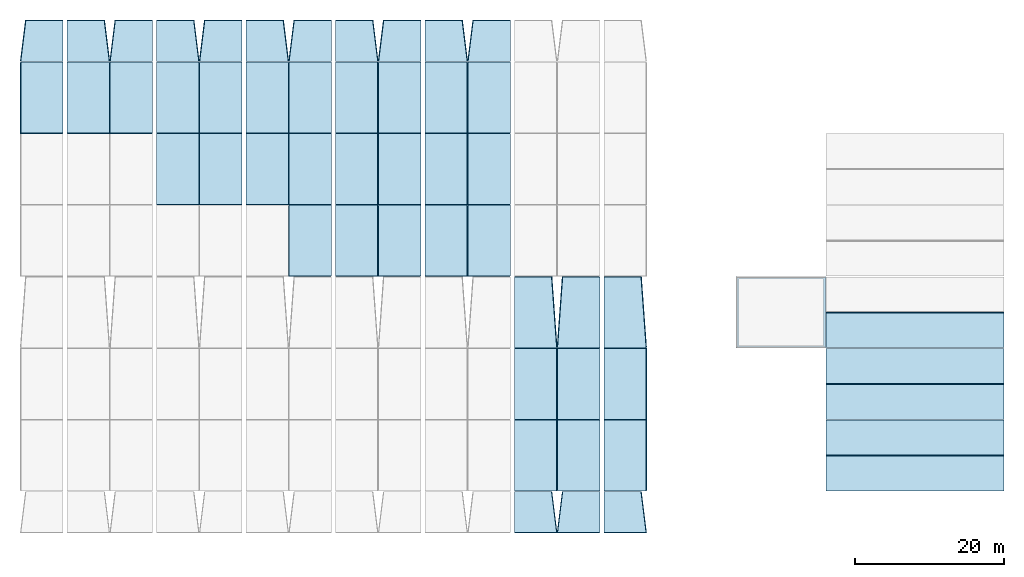
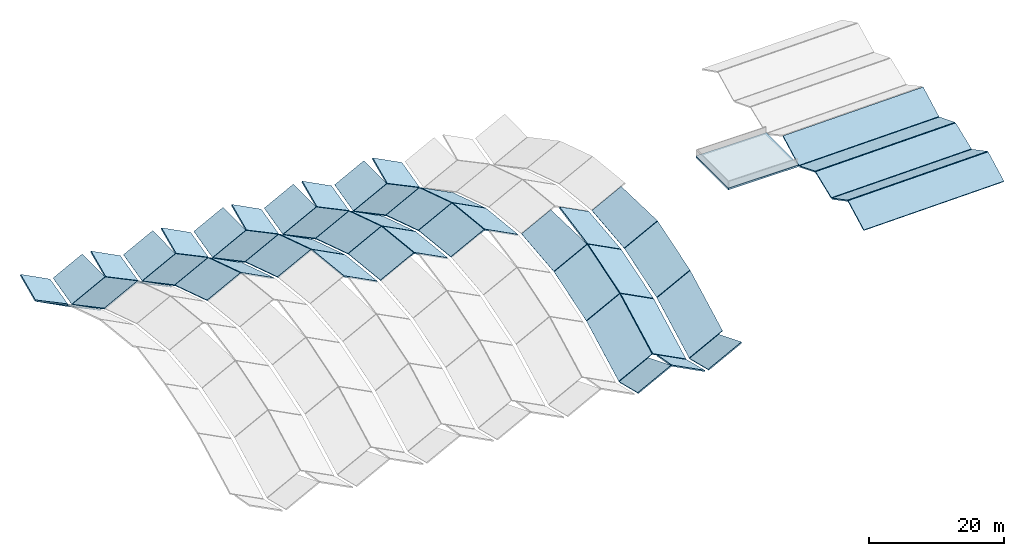
# One storey, part 2 of 4: 53 slabs.
"""IFC4 building model written with IfcOpenShell, lengths in metres."""

from ifc_helpers import new_model, si_unit, direction, frame, origin, place, context, subcontext, project, spatial, polyline, outline, extrude, material, layer, layer_set, type_object, element, save


model = new_model("IFC4")

# Units and contexts
model_context = context("Model", 3, precision=1e-05, world=origin(), true_north=direction((0.0, 1.0)))
body_context = subcontext(model_context, "Body", "Model", "MODEL_VIEW")
ifc_project = project(units=[si_unit("LENGTHUNIT", "METRE"), si_unit("AREAUNIT", "SQUARE_METRE"), si_unit("VOLUMEUNIT", "CUBIC_METRE"), si_unit("PLANEANGLEUNIT", "RADIAN"), si_unit("MASSUNIT", "GRAM", prefix="KILO")], contexts=[model_context])

# Site, building, storey
site_placement = place(None, origin())
site = spatial("IfcSite", under=ifc_project, at=site_placement, CompositionType="ELEMENT")
building_placement = place(site_placement, origin())
building = spatial("IfcBuilding", under=site, at=building_placement, Name="Pandanus Reach Market Hall", CompositionType="ELEMENT")
storey_placement = place(building_placement, frame((0.0, 0.0, 22.800048828125)))
storey = spatial("IfcBuildingStorey", under=building, at=storey_placement, Name="RF", CompositionType="ELEMENT", Elevation=22.800048828125)

# Slabs
ifc_material_1 = material(Name="Concrete N50 (50 MPa)", Category="concrete")
ifc_layer_1 = layer(ifc_material_1, 0.205078125, Name="RF-BFY-205")
ifc_layer_set_1 = layer_set([ifc_layer_1], Name="Concrete N50 (50 MPa)")
slab_type_1 = type_object("IfcSlabType", Name="RF-BFY-205", PredefinedType="ROOF", material=ifc_layer_set_1)
slab_1_placement = place(storey_placement, frame((48.06005859375, 86.43994140625, -9.851318359375), z_axis=(0.450556899093, -0.215053322153, 0.866458625273), x_axis=(0.887217290863, -1.723796e-06, -0.461351795044)))
element("IfcSlab", 1, at=slab_1_placement, inside=storey, type_object=slab_type_1, Name="Butterfly shell roof wing B1.8W", PredefinedType="ROOF", context=body_context, shape_type="SweptSolid", body=[
    extrude(outline(polyline([(0.0, 0.0), (6.401988351654198, 0.0), (5.769872812395228, 5.652279776803196), (0.14558543796129203, 5.65225854928703), (0.0, 0.0)])), origin(), (0.0, 0.0, -1.0), 0.205078125),
])
slab_2_placement = place(storey_placement, frame((54.260009765625, 86.43994140625, -12.804931640625), z_axis=(-0.450556899093, -0.215053322153, 0.866458625273), x_axis=(0.887217290863, 1.723796e-06, 0.461351795044)))
element("IfcSlab", 2, at=slab_2_placement, inside=storey, type_object=slab_type_1, Name="Butterfly shell roof wing B1.8E", PredefinedType="ROOF", context=body_context, shape_type="SweptSolid", body=[
    extrude(outline(polyline([(0.0, 0.0), (6.401988351654198, 0.0), (6.256402913692908, 5.65225854928703), (0.6321155392589709, 5.652279776803195), (0.0, 0.0)])), origin(), (0.0, 0.0, -1.0), 0.205078125),
])
slab_3_placement = place(storey_placement, frame((60.06005859375, 86.43994140625, -9.851318359375), z_axis=(0.450556899093, -0.215053322153, 0.866458625273), x_axis=(0.887217290863, -1.723796e-06, -0.461351795044)))
element("IfcSlab", 3, at=slab_3_placement, inside=storey, type_object=slab_type_1, Name="Butterfly shell roof wing B2.8W", PredefinedType="ROOF", context=body_context, shape_type="SweptSolid", body=[
    extrude(outline(polyline([(0.0, 0.0), (6.401988351654198, 0.0), (5.769872812395228, 5.652279776803196), (0.14558543796129203, 5.65225854928703), (0.0, 0.0)])), origin(), (0.0, 0.0, -1.0), 0.205078125),
])
slab_4_placement = place(storey_placement, frame((66.260009765625, 86.43994140625, -12.804931640625), z_axis=(-0.450556899093, -0.215053322153, 0.866458625273), x_axis=(0.887217290863, 1.723796e-06, 0.461351795044)))
element("IfcSlab", 4, at=slab_4_placement, inside=storey, type_object=slab_type_1, Name="Butterfly shell roof wing B2.8E", PredefinedType="ROOF", context=body_context, shape_type="SweptSolid", body=[
    extrude(outline(polyline([(0.0, 0.0), (6.401988351654198, 0.0), (6.256402913692908, 5.65225854928703), (0.6321155392589709, 5.652279776803195), (0.0, 0.0)])), origin(), (0.0, 0.0, -1.0), 0.205078125),
])
slab_5_placement = place(storey_placement, frame((72.06005859375, 86.43994140625, -9.851318359375), z_axis=(0.450556899093, -0.215053322153, 0.866458625273), x_axis=(0.887217290863, -1.723796e-06, -0.461351795044)))
element("IfcSlab", 5, at=slab_5_placement, inside=storey, type_object=slab_type_1, Name="Butterfly shell roof wing B3.8W", PredefinedType="ROOF", context=body_context, shape_type="SweptSolid", body=[
    extrude(outline(polyline([(0.0, 0.0), (6.401988351654198, 0.0), (5.769872812395228, 5.652279776803196), (0.14558543796129203, 5.65225854928703), (0.0, 0.0)])), origin(), (0.0, 0.0, -1.0), 0.205078125),
])
slab_6_placement = place(storey_placement, frame((78.260009765625, 86.43994140625, -12.804931640625), z_axis=(-0.450556899093, -0.215053322153, 0.866458625273), x_axis=(0.887217290863, 1.723796e-06, 0.461351795044)))
element("IfcSlab", 6, at=slab_6_placement, inside=storey, type_object=slab_type_1, Name="Butterfly shell roof wing B3.8E", PredefinedType="ROOF", context=body_context, shape_type="SweptSolid", body=[
    extrude(outline(polyline([(0.0, 0.0), (6.401988351654198, 0.0), (6.256402913692908, 5.65225854928703), (0.6321155392589709, 5.652279776803195), (0.0, 0.0)])), origin(), (0.0, 0.0, -1.0), 0.205078125),
])
slab_7_placement = place(storey_placement, frame((84.06005859375, 86.43994140625, -9.851318359375), z_axis=(0.450556899093, -0.215053322153, 0.866458625273), x_axis=(0.887217290863, -1.723796e-06, -0.461351795044)))
element("IfcSlab", 7, at=slab_7_placement, inside=storey, type_object=slab_type_1, Name="Butterfly shell roof wing B4.8W", PredefinedType="ROOF", context=body_context, shape_type="SweptSolid", body=[
    extrude(outline(polyline([(0.0, 0.0), (6.401988351654198, 0.0), (5.769872812395228, 5.652279776803196), (0.14558543796129203, 5.65225854928703), (0.0, 0.0)])), origin(), (0.0, 0.0, -1.0), 0.205078125),
])
slab_8_placement = place(storey_placement, frame((90.260009765625, 86.43994140625, -12.804931640625), z_axis=(-0.450556899093, -0.215053322153, 0.866458625273), x_axis=(0.887217290863, 1.723796e-06, 0.461351795044)))
element("IfcSlab", 8, at=slab_8_placement, inside=storey, type_object=slab_type_1, Name="Butterfly shell roof wing B4.8E", PredefinedType="ROOF", context=body_context, shape_type="SweptSolid", body=[
    extrude(outline(polyline([(0.0, 0.0), (6.401988351654198, 0.0), (6.256402913692908, 5.65225854928703), (0.6321155392589709, 5.652279776803195), (0.0, 0.0)])), origin(), (0.0, 0.0, -1.0), 0.205078125),
])
slab_9_placement = place(storey_placement, frame((96.06005859375, 86.43994140625, -9.851318359375), z_axis=(0.450556899093, -0.215053322153, 0.866458625273), x_axis=(0.887217290863, -1.723796e-06, -0.461351795044)))
element("IfcSlab", 9, at=slab_9_placement, inside=storey, type_object=slab_type_1, Name="Butterfly shell roof wing B5.8W", PredefinedType="ROOF", context=body_context, shape_type="SweptSolid", body=[
    extrude(outline(polyline([(0.0, 0.0), (6.401988351654198, 0.0), (5.769872812395228, 5.652279776803196), (0.14558543796129203, 5.65225854928703), (0.0, 0.0)])), origin(), (0.0, 0.0, -1.0), 0.205078125),
])
slab_10_placement = place(storey_placement, frame((102.260009765625, 86.43994140625, -12.804931640625), z_axis=(-0.450556899093, -0.215053322153, 0.866458625273), x_axis=(0.887217290863, 1.723796e-06, 0.461351795044)))
element("IfcSlab", 10, at=slab_10_placement, inside=storey, type_object=slab_type_1, Name="Butterfly shell roof wing B5.8E", PredefinedType="ROOF", context=body_context, shape_type="SweptSolid", body=[
    extrude(outline(polyline([(0.0, 0.0), (6.401988351654198, 0.0), (6.256402913692908, 5.65225854928703), (0.6321155392589709, 5.652279776803195), (0.0, 0.0)])), origin(), (0.0, 0.0, -1.0), 0.205078125),
])
slab_11_placement = place(storey_placement, frame((114.260009765625, 23.239990234375, -11.434814453125), z_axis=(-0.450572874973, 0.215049677559, 0.866451222239), x_axis=(0.887209365664, 2.058844e-06, 0.461367035531)))
element("IfcSlab", 11, at=slab_11_placement, inside=storey, type_object=slab_type_1, Name="Butterfly shell roof wing B6.1E", PredefinedType="ROOF", context=body_context, shape_type="SweptSolid", body=[
    extrude(outline(polyline([(0.0, 0.0), (6.4019883515664695, 1.1102230246251565e-16), (4.992284470831912, 5.652254422933277), (-0.6321155402657588, 5.652279776591236), (0.0, 0.0)])), origin(), (0.0, 0.0, -1.0), 0.205078125),
])
slab_12_placement = place(storey_placement, frame((108.06005859375, 86.43994140625, -9.851318359375), z_axis=(0.450556899093, -0.215053322153, 0.866458625273), x_axis=(0.887217290863, -1.723796e-06, -0.461351795044)))
element("IfcSlab", 12, at=slab_12_placement, inside=storey, type_object=slab_type_1, Name="Butterfly shell roof wing B6.8W", PredefinedType="ROOF", context=body_context, shape_type="SweptSolid", body=[
    extrude(outline(polyline([(0.0, 0.0), (6.401988351654198, 0.0), (5.769872812395228, 5.652279776803196), (0.14558543796129203, 5.65225854928703), (0.0, 0.0)])), origin(), (0.0, 0.0, -1.0), 0.205078125),
])
slab_13_placement = place(storey_placement, frame((120.06005859375, 23.239990234375, -8.481201171875), z_axis=(0.450572874973, 0.215049677559, 0.866451222239), x_axis=(0.887209365664, -2.058844e-06, -0.461367035531)))
element("IfcSlab", 13, at=slab_13_placement, inside=storey, type_object=slab_type_1, Name="Butterfly shell roof wing B7.1W", PredefinedType="ROOF", context=body_context, shape_type="SweptSolid", body=[
    extrude(outline(polyline([(0.0, 0.0), (6.4019883515664695, -1.1102230246251565e-16), (7.0341038918322285, 5.652279776591236), (1.4097038807345572, 5.652254422933277), (0.0, 0.0)])), origin(), (0.0, 0.0, -1.0), 0.205078125),
])
slab_14_placement = place(storey_placement, frame((126.260009765625, 23.239990234375, -11.434814453125), z_axis=(-0.450572874973, 0.215049677559, 0.866451222239), x_axis=(0.887209365664, 2.058844e-06, 0.461367035531)))
element("IfcSlab", 14, at=slab_14_placement, inside=storey, type_object=slab_type_1, Name="Butterfly shell roof wing B7.1E", PredefinedType="ROOF", context=body_context, shape_type="SweptSolid", body=[
    extrude(outline(polyline([(0.0, 0.0), (6.4019883515664695, 1.1102230246251565e-16), (4.992284470831912, 5.652254422933277), (-0.6321155402657588, 5.652279776591236), (0.0, 0.0)])), origin(), (0.0, 0.0, -1.0), 0.205078125),
])
ifc_layer_2 = layer(ifc_material_1, 0.219970703125, Name="RF-BFY-220")
ifc_layer_set_2 = layer_set([ifc_layer_2], Name="Concrete N50 (50 MPa)")
slab_type_2 = type_object("IfcSlabType", Name="RF-BFY-220", PredefinedType="ROOF", material=ifc_layer_set_2)
slab_15_placement = place(storey_placement, frame((48.06005859375, 76.840087890625, -4.757080078125), z_axis=(0.417159840837, 0.427112666279, 0.802217200948), x_axis=(0.887213679321, 0.0, -0.461358740272)))
element("IfcSlab", 15, at=slab_15_placement, inside=storey, type_object=slab_type_2, Name="Butterfly shell roof wing B1.7W", PredefinedType="ROOF", context=body_context, shape_type="SweptSolid", body=[
    extrude(outline(polyline([(0.0, 0.0), (6.401988351859865, -2.220446049250313e-16), (8.74043288476678, 10.528684183719509), (2.3384445329069137, 10.528684183719509), (0.0, 0.0)])), origin(), (0.0, 0.0, -1.0), 0.219970703125),
])
slab_16_placement = place(storey_placement, frame((54.260009765625, 76.840087890625, -7.710693359375), z_axis=(-0.417159840837, 0.427112666279, 0.802217200948), x_axis=(0.887213679321, 0.0, 0.461358740272)))
element("IfcSlab", 16, at=slab_16_placement, inside=storey, type_object=slab_type_2, Name="Butterfly shell roof wing B1.7E", PredefinedType="ROOF", context=body_context, shape_type="SweptSolid", body=[
    extrude(outline(polyline([(0.0, 0.0), (6.401988351859865, 2.220446049250313e-16), (4.063543818952953, 10.528684183719509), (-2.3384445329069137, 10.528684183719509), (0.0, 0.0)])), origin(), (0.0, 0.0, -1.0), 0.219970703125),
])
slab_17_placement = place(storey_placement, frame((66.260009765625, 67.239990234375, -4.6357421875), z_axis=(-0.443877113552, 0.272667290232, 0.853595722167), x_axis=(0.887213679321, 0.0, 0.461358740272)))
element("IfcSlab", 17, at=slab_17_placement, inside=storey, type_object=slab_type_2, Name="Butterfly shell roof wing B2.6E", PredefinedType="ROOF", context=body_context, shape_type="SweptSolid", body=[
    extrude(outline(polyline([(0.0, 0.0), (6.401988351859866, 1.1102230246251565e-16), (4.998989213962437, 9.894955347344156), (-1.4029991378974285, 9.894955347344156), (0.0, 0.0)])), origin(), (0.0, 0.0, -1.0), 0.219970703125),
])
slab_18_placement = place(storey_placement, frame((60.06005859375, 76.840087890625, -4.757080078125), z_axis=(0.417159840837, 0.427112666279, 0.802217200948), x_axis=(0.887213679321, 0.0, -0.461358740272)))
element("IfcSlab", 18, at=slab_18_placement, inside=storey, type_object=slab_type_2, Name="Butterfly shell roof wing B2.7W", PredefinedType="ROOF", context=body_context, shape_type="SweptSolid", body=[
    extrude(outline(polyline([(0.0, 0.0), (6.401988351859865, -2.220446049250313e-16), (8.74043288476678, 10.528684183719509), (2.3384445329069137, 10.528684183719509), (0.0, 0.0)])), origin(), (0.0, 0.0, -1.0), 0.219970703125),
])
slab_19_placement = place(storey_placement, frame((66.260009765625, 76.840087890625, -7.710693359375), z_axis=(-0.417159840837, 0.427112666279, 0.802217200948), x_axis=(0.887213679321, 0.0, 0.461358740272)))
element("IfcSlab", 19, at=slab_19_placement, inside=storey, type_object=slab_type_2, Name="Butterfly shell roof wing B2.7E", PredefinedType="ROOF", context=body_context, shape_type="SweptSolid", body=[
    extrude(outline(polyline([(0.0, 0.0), (6.401988351859865, 2.220446049250313e-16), (4.063543818952953, 10.528684183719509), (-2.3384445329069137, 10.528684183719509), (0.0, 0.0)])), origin(), (0.0, 0.0, -1.0), 0.219970703125),
])
slab_20_placement = place(storey_placement, frame((72.06005859375, 67.239990234375, -1.68212890625), z_axis=(0.443877113552, 0.272667290232, 0.853595722167), x_axis=(0.887213679321, 0.0, -0.461358740272)))
element("IfcSlab", 20, at=slab_20_placement, inside=storey, type_object=slab_type_2, Name="Butterfly shell roof wing B3.6W", PredefinedType="ROOF", context=body_context, shape_type="SweptSolid", body=[
    extrude(outline(polyline([(0.0, 0.0), (6.401988351859866, -1.1102230246251565e-16), (7.804987489757294, 9.894955347344156), (1.4029991378974285, 9.894955347344156), (0.0, 0.0)])), origin(), (0.0, 0.0, -1.0), 0.219970703125),
])
slab_21_placement = place(storey_placement, frame((78.260009765625, 67.239990234375, -4.6357421875), z_axis=(-0.443877113552, 0.272667290232, 0.853595722167), x_axis=(0.887213679321, 0.0, 0.461358740272)))
element("IfcSlab", 21, at=slab_21_placement, inside=storey, type_object=slab_type_2, Name="Butterfly shell roof wing B3.6E", PredefinedType="ROOF", context=body_context, shape_type="SweptSolid", body=[
    extrude(outline(polyline([(0.0, 0.0), (6.401988351859866, 1.1102230246251565e-16), (4.998989213962437, 9.894955347344156), (-1.4029991378974285, 9.894955347344156), (0.0, 0.0)])), origin(), (0.0, 0.0, -1.0), 0.219970703125),
])
slab_22_placement = place(storey_placement, frame((72.06005859375, 76.840087890625, -4.757080078125), z_axis=(0.417159840837, 0.427112666279, 0.802217200948), x_axis=(0.887213679321, 0.0, -0.461358740272)))
element("IfcSlab", 22, at=slab_22_placement, inside=storey, type_object=slab_type_2, Name="Butterfly shell roof wing B3.7W", PredefinedType="ROOF", context=body_context, shape_type="SweptSolid", body=[
    extrude(outline(polyline([(0.0, 0.0), (6.401988351859865, -2.220446049250313e-16), (8.74043288476678, 10.528684183719509), (2.3384445329069137, 10.528684183719509), (0.0, 0.0)])), origin(), (0.0, 0.0, -1.0), 0.219970703125),
])
slab_23_placement = place(storey_placement, frame((78.260009765625, 76.840087890625, -7.710693359375), z_axis=(-0.417159840837, 0.427112666279, 0.802217200948), x_axis=(0.887213679321, 0.0, 0.461358740272)))
element("IfcSlab", 23, at=slab_23_placement, inside=storey, type_object=slab_type_2, Name="Butterfly shell roof wing B3.7E", PredefinedType="ROOF", context=body_context, shape_type="SweptSolid", body=[
    extrude(outline(polyline([(0.0, 0.0), (6.401988351859865, 2.220446049250313e-16), (4.063543818952953, 10.528684183719509), (-2.3384445329069137, 10.528684183719509), (0.0, 0.0)])), origin(), (0.0, 0.0, -1.0), 0.219970703125),
])
slab_24_placement = place(storey_placement, frame((84.06005859375, 57.639892578125, -0.6513671875), z_axis=(0.459298291418, 0.094061978556, 0.883287848717), x_axis=(0.887221553122, -1.584233e-06, -0.461343598278)))
element("IfcSlab", 24, at=slab_24_placement, inside=storey, type_object=slab_type_2, Name="Butterfly shell roof wing B4.5W", PredefinedType="ROOF", context=body_context, shape_type="SweptSolid", body=[
    extrude(outline(polyline([(0.0, 0.0), (6.401875718205034, 2.7755575615628914e-17), (6.86962429927211, 9.562426931245342), (0.4676359483526534, 9.562406556601216), (0.0, 0.0)])), origin(), (0.0, 0.0, -1.0), 0.219970703125),
])
slab_25_placement = place(storey_placement, frame((90.260009765625, 57.639892578125, -3.604736328125), z_axis=(-0.459298291418, 0.094061978556, 0.883287848717), x_axis=(0.887221553122, 1.584233e-06, 0.461343598278)))
element("IfcSlab", 25, at=slab_25_placement, inside=storey, type_object=slab_type_2, Name="Butterfly shell roof wing B4.5E", PredefinedType="ROOF", context=body_context, shape_type="SweptSolid", body=[
    extrude(outline(polyline([(0.0, 0.0), (6.401875718205034, -2.7755575615628914e-17), (5.93423976985238, 9.562406556601218), (-0.46774858106707684, 9.562426931245342), (0.0, 0.0)])), origin(), (0.0, 0.0, -1.0), 0.219970703125),
])
slab_26_placement = place(storey_placement, frame((84.06005859375, 67.239990234375, -1.68212890625), z_axis=(0.443877113552, 0.272667290232, 0.853595722167), x_axis=(0.887213679321, 0.0, -0.461358740272)))
element("IfcSlab", 26, at=slab_26_placement, inside=storey, type_object=slab_type_2, Name="Butterfly shell roof wing B4.6W", PredefinedType="ROOF", context=body_context, shape_type="SweptSolid", body=[
    extrude(outline(polyline([(0.0, 0.0), (6.401988351859866, -1.1102230246251565e-16), (7.804987489757294, 9.894955347344156), (1.4029991378974285, 9.894955347344156), (0.0, 0.0)])), origin(), (0.0, 0.0, -1.0), 0.219970703125),
])
slab_27_placement = place(storey_placement, frame((90.260009765625, 67.239990234375, -4.6357421875), z_axis=(-0.443877113552, 0.272667290232, 0.853595722167), x_axis=(0.887213679321, 0.0, 0.461358740272)))
element("IfcSlab", 27, at=slab_27_placement, inside=storey, type_object=slab_type_2, Name="Butterfly shell roof wing B4.6E", PredefinedType="ROOF", context=body_context, shape_type="SweptSolid", body=[
    extrude(outline(polyline([(0.0, 0.0), (6.401988351859866, 1.1102230246251565e-16), (4.998989213962437, 9.894955347344156), (-1.4029991378974285, 9.894955347344156), (0.0, 0.0)])), origin(), (0.0, 0.0, -1.0), 0.219970703125),
])
slab_28_placement = place(storey_placement, frame((84.06005859375, 76.840087890625, -4.757080078125), z_axis=(0.417159840837, 0.427112666279, 0.802217200948), x_axis=(0.887213679321, 0.0, -0.461358740272)))
element("IfcSlab", 28, at=slab_28_placement, inside=storey, type_object=slab_type_2, Name="Butterfly shell roof wing B4.7W", PredefinedType="ROOF", context=body_context, shape_type="SweptSolid", body=[
    extrude(outline(polyline([(0.0, 0.0), (6.401988351859865, -2.220446049250313e-16), (8.74043288476678, 10.528684183719509), (2.3384445329069137, 10.528684183719509), (0.0, 0.0)])), origin(), (0.0, 0.0, -1.0), 0.219970703125),
])
slab_29_placement = place(storey_placement, frame((90.260009765625, 76.840087890625, -7.710693359375), z_axis=(-0.417159840837, 0.427112666279, 0.802217200948), x_axis=(0.887213679321, 0.0, 0.461358740272)))
element("IfcSlab", 29, at=slab_29_placement, inside=storey, type_object=slab_type_2, Name="Butterfly shell roof wing B4.7E", PredefinedType="ROOF", context=body_context, shape_type="SweptSolid", body=[
    extrude(outline(polyline([(0.0, 0.0), (6.401988351859865, 2.220446049250313e-16), (4.063543818952953, 10.528684183719509), (-2.3384445329069137, 10.528684183719509), (0.0, 0.0)])), origin(), (0.0, 0.0, -1.0), 0.219970703125),
])
slab_30_placement = place(storey_placement, frame((96.06005859375, 57.639892578125, -0.6513671875), z_axis=(0.459298291418, 0.094061978556, 0.883287848717), x_axis=(0.887221553122, -1.584233e-06, -0.461343598278)))
element("IfcSlab", 30, at=slab_30_placement, inside=storey, type_object=slab_type_2, Name="Butterfly shell roof wing B5.5W", PredefinedType="ROOF", context=body_context, shape_type="SweptSolid", body=[
    extrude(outline(polyline([(0.0, 0.0), (6.401875718205034, 2.7755575615628914e-17), (6.86962429927211, 9.562426931245342), (0.4676359483526534, 9.562406556601216), (0.0, 0.0)])), origin(), (0.0, 0.0, -1.0), 0.219970703125),
])
slab_31_placement = place(storey_placement, frame((102.260009765625, 57.639892578125, -3.604736328125), z_axis=(-0.459298291418, 0.094061978556, 0.883287848717), x_axis=(0.887221553122, 1.584233e-06, 0.461343598278)))
element("IfcSlab", 31, at=slab_31_placement, inside=storey, type_object=slab_type_2, Name="Butterfly shell roof wing B5.5E", PredefinedType="ROOF", context=body_context, shape_type="SweptSolid", body=[
    extrude(outline(polyline([(0.0, 0.0), (6.401875718205034, -2.7755575615628914e-17), (5.93423976985238, 9.562406556601218), (-0.46774858106707684, 9.562426931245342), (0.0, 0.0)])), origin(), (0.0, 0.0, -1.0), 0.219970703125),
])
slab_32_placement = place(storey_placement, frame((96.06005859375, 67.239990234375, -1.68212890625), z_axis=(0.443877113552, 0.272667290232, 0.853595722167), x_axis=(0.887213679321, 0.0, -0.461358740272)))
element("IfcSlab", 32, at=slab_32_placement, inside=storey, type_object=slab_type_2, Name="Butterfly shell roof wing B5.6W", PredefinedType="ROOF", context=body_context, shape_type="SweptSolid", body=[
    extrude(outline(polyline([(0.0, 0.0), (6.401988351859866, -1.1102230246251565e-16), (7.804987489757294, 9.894955347344156), (1.4029991378974285, 9.894955347344156), (0.0, 0.0)])), origin(), (0.0, 0.0, -1.0), 0.219970703125),
])
slab_33_placement = place(storey_placement, frame((102.260009765625, 67.239990234375, -4.6357421875), z_axis=(-0.443877113552, 0.272667290232, 0.853595722167), x_axis=(0.887213679321, 0.0, 0.461358740272)))
element("IfcSlab", 33, at=slab_33_placement, inside=storey, type_object=slab_type_2, Name="Butterfly shell roof wing B5.6E", PredefinedType="ROOF", context=body_context, shape_type="SweptSolid", body=[
    extrude(outline(polyline([(0.0, 0.0), (6.401988351859866, 1.1102230246251565e-16), (4.998989213962437, 9.894955347344156), (-1.4029991378974285, 9.894955347344156), (0.0, 0.0)])), origin(), (0.0, 0.0, -1.0), 0.219970703125),
])
slab_34_placement = place(storey_placement, frame((96.06005859375, 76.840087890625, -4.757080078125), z_axis=(0.417159840837, 0.427112666279, 0.802217200948), x_axis=(0.887213679321, 0.0, -0.461358740272)))
element("IfcSlab", 34, at=slab_34_placement, inside=storey, type_object=slab_type_2, Name="Butterfly shell roof wing B5.7W", PredefinedType="ROOF", context=body_context, shape_type="SweptSolid", body=[
    extrude(outline(polyline([(0.0, 0.0), (6.401988351859865, -2.220446049250313e-16), (8.74043288476678, 10.528684183719509), (2.3384445329069137, 10.528684183719509), (0.0, 0.0)])), origin(), (0.0, 0.0, -1.0), 0.219970703125),
])
slab_35_placement = place(storey_placement, frame((102.260009765625, 76.840087890625, -7.710693359375), z_axis=(-0.417159840837, 0.427112666279, 0.802217200948), x_axis=(0.887213679321, 0.0, 0.461358740272)))
element("IfcSlab", 35, at=slab_35_placement, inside=storey, type_object=slab_type_2, Name="Butterfly shell roof wing B5.7E", PredefinedType="ROOF", context=body_context, shape_type="SweptSolid", body=[
    extrude(outline(polyline([(0.0, 0.0), (6.401988351859865, 2.220446049250313e-16), (4.063543818952953, 10.528684183719509), (-2.3384445329069137, 10.528684183719509), (0.0, 0.0)])), origin(), (0.0, 0.0, -1.0), 0.219970703125),
])
slab_36_placement = place(storey_placement, frame((114.260009765625, 28.840087890625, -12.779296875), z_axis=(-0.417159840837, -0.427112666279, 0.802217200948), x_axis=(0.887213679321, 0.0, 0.461358740272)))
element("IfcSlab", 36, at=slab_36_placement, inside=storey, type_object=slab_type_2, Name="Butterfly shell roof wing B6.2E", PredefinedType="ROOF", context=body_context, shape_type="SweptSolid", body=[
    extrude(outline(polyline([(0.0, 0.0), (6.401988351859865, -2.220446049250313e-16), (8.74043288476678, 10.528684183719509), (2.3384445329069137, 10.528684183719509), (0.0, 0.0)])), origin(), (0.0, 0.0, -1.0), 0.219970703125),
])
slab_37_placement = place(storey_placement, frame((114.260009765625, 38.43994140625, -7.6767578125), z_axis=(-0.443877113552, -0.272667290232, 0.853595722167), x_axis=(0.887213679321, 0.0, 0.461358740272)))
element("IfcSlab", 37, at=slab_37_placement, inside=storey, type_object=slab_type_2, Name="Butterfly shell roof wing B6.3E", PredefinedType="ROOF", context=body_context, shape_type="SweptSolid", body=[
    extrude(outline(polyline([(0.0, 0.0), (6.401988351859866, -1.1102230246251565e-16), (7.804987489757294, 9.894955347344156), (1.4029991378974285, 9.894955347344156), (0.0, 0.0)])), origin(), (0.0, 0.0, -1.0), 0.219970703125),
])
slab_38_placement = place(storey_placement, frame((114.260009765625, 48.0400390625, -4.61865234375), z_axis=(-0.459305750832, -0.094067335616, 0.883283399382), x_axis=(0.887217432482, 7.68654e-07, 0.461351522702)))
element("IfcSlab", 38, at=slab_38_placement, inside=storey, type_object=slab_type_2, Name="Butterfly shell roof wing B6.4E", PredefinedType="ROOF", context=body_context, shape_type="SweptSolid", body=[
    extrude(outline(polyline([(0.0, 0.0), (6.401988351646134, 2.7755575615628914e-17), (6.0920663897556455, 9.562416157750384), (0.4677790152984958, 9.562425442963313), (0.0, 0.0)])), origin(), (0.0, 0.0, -1.0), 0.219970703125),
])
slab_39_placement = place(storey_placement, frame((108.06005859375, 57.639892578125, -0.6513671875), z_axis=(0.459298291418, 0.094061978556, 0.883287848717), x_axis=(0.887221553122, -1.584233e-06, -0.461343598278)))
element("IfcSlab", 39, at=slab_39_placement, inside=storey, type_object=slab_type_2, Name="Butterfly shell roof wing B6.5W", PredefinedType="ROOF", context=body_context, shape_type="SweptSolid", body=[
    extrude(outline(polyline([(0.0, 0.0), (6.401875718205034, 2.7755575615628914e-17), (6.86962429927211, 9.562426931245342), (0.4676359483526534, 9.562406556601216), (0.0, 0.0)])), origin(), (0.0, 0.0, -1.0), 0.219970703125),
])
slab_40_placement = place(storey_placement, frame((108.06005859375, 67.239990234375, -1.68212890625), z_axis=(0.443877113552, 0.272667290232, 0.853595722167), x_axis=(0.887213679321, 0.0, -0.461358740272)))
element("IfcSlab", 40, at=slab_40_placement, inside=storey, type_object=slab_type_2, Name="Butterfly shell roof wing B6.6W", PredefinedType="ROOF", context=body_context, shape_type="SweptSolid", body=[
    extrude(outline(polyline([(0.0, 0.0), (6.401988351859866, -1.1102230246251565e-16), (7.804987489757294, 9.894955347344156), (1.4029991378974285, 9.894955347344156), (0.0, 0.0)])), origin(), (0.0, 0.0, -1.0), 0.219970703125),
])
slab_41_placement = place(storey_placement, frame((108.06005859375, 76.840087890625, -4.757080078125), z_axis=(0.417159840837, 0.427112666279, 0.802217200948), x_axis=(0.887213679321, 0.0, -0.461358740272)))
element("IfcSlab", 41, at=slab_41_placement, inside=storey, type_object=slab_type_2, Name="Butterfly shell roof wing B6.7W", PredefinedType="ROOF", context=body_context, shape_type="SweptSolid", body=[
    extrude(outline(polyline([(0.0, 0.0), (6.401988351859865, -2.220446049250313e-16), (8.74043288476678, 10.528684183719509), (2.3384445329069137, 10.528684183719509), (0.0, 0.0)])), origin(), (0.0, 0.0, -1.0), 0.219970703125),
])
slab_42_placement = place(storey_placement, frame((120.06005859375, 28.840087890625, -9.82568359375), z_axis=(0.417159840837, -0.427112666279, 0.802217200948), x_axis=(0.887213679321, 0.0, -0.461358740272)))
element("IfcSlab", 42, at=slab_42_placement, inside=storey, type_object=slab_type_2, Name="Butterfly shell roof wing B7.2W", PredefinedType="ROOF", context=body_context, shape_type="SweptSolid", body=[
    extrude(outline(polyline([(0.0, 0.0), (6.401988351859865, 2.220446049250313e-16), (4.063543818952953, 10.528684183719509), (-2.3384445329069137, 10.528684183719509), (0.0, 0.0)])), origin(), (0.0, 0.0, -1.0), 0.219970703125),
])
slab_43_placement = place(storey_placement, frame((126.260009765625, 28.840087890625, -12.779296875), z_axis=(-0.417159840837, -0.427112666279, 0.802217200948), x_axis=(0.887213679321, 0.0, 0.461358740272)))
element("IfcSlab", 43, at=slab_43_placement, inside=storey, type_object=slab_type_2, Name="Butterfly shell roof wing B7.2E", PredefinedType="ROOF", context=body_context, shape_type="SweptSolid", body=[
    extrude(outline(polyline([(0.0, 0.0), (6.401988351859865, -2.220446049250313e-16), (8.74043288476678, 10.528684183719509), (2.3384445329069137, 10.528684183719509), (0.0, 0.0)])), origin(), (0.0, 0.0, -1.0), 0.219970703125),
])
slab_44_placement = place(storey_placement, frame((120.06005859375, 38.43994140625, -4.72314453125), z_axis=(0.443877113552, -0.272667290232, 0.853595722167), x_axis=(0.887213679321, 0.0, -0.461358740272)))
element("IfcSlab", 44, at=slab_44_placement, inside=storey, type_object=slab_type_2, Name="Butterfly shell roof wing B7.3W", PredefinedType="ROOF", context=body_context, shape_type="SweptSolid", body=[
    extrude(outline(polyline([(0.0, 0.0), (6.401988351859866, 1.1102230246251565e-16), (4.998989213962437, 9.894955347344156), (-1.4029991378974285, 9.894955347344156), (0.0, 0.0)])), origin(), (0.0, 0.0, -1.0), 0.219970703125),
])
slab_45_placement = place(storey_placement, frame((126.260009765625, 38.43994140625, -7.6767578125), z_axis=(-0.443877113552, -0.272667290232, 0.853595722167), x_axis=(0.887213679321, 0.0, 0.461358740272)))
element("IfcSlab", 45, at=slab_45_placement, inside=storey, type_object=slab_type_2, Name="Butterfly shell roof wing B7.3E", PredefinedType="ROOF", context=body_context, shape_type="SweptSolid", body=[
    extrude(outline(polyline([(0.0, 0.0), (6.401988351859866, -1.1102230246251565e-16), (7.804987489757294, 9.894955347344156), (1.4029991378974285, 9.894955347344156), (0.0, 0.0)])), origin(), (0.0, 0.0, -1.0), 0.219970703125),
])
slab_46_placement = place(storey_placement, frame((120.06005859375, 48.0400390625, -1.6650390625), z_axis=(0.459305750832, -0.094067335616, 0.883283399382), x_axis=(0.887217432482, -7.68654e-07, -0.461351522702)))
element("IfcSlab", 46, at=slab_46_placement, inside=storey, type_object=slab_type_2, Name="Butterfly shell roof wing B7.4W", PredefinedType="ROOF", context=body_context, shape_type="SweptSolid", body=[
    extrude(outline(polyline([(0.0, 0.0), (6.401988351646134, -2.7755575615628914e-17), (5.934209336347639, 9.562425442963313), (0.30992196189048776, 9.562416157750382), (0.0, 0.0)])), origin(), (0.0, 0.0, -1.0), 0.219970703125),
])
slab_47_placement = place(storey_placement, frame((126.260009765625, 48.0400390625, -4.61865234375), z_axis=(-0.459305750832, -0.094067335616, 0.883283399382), x_axis=(0.887217432482, 7.68654e-07, 0.461351522702)))
element("IfcSlab", 47, at=slab_47_placement, inside=storey, type_object=slab_type_2, Name="Butterfly shell roof wing B7.4E", PredefinedType="ROOF", context=body_context, shape_type="SweptSolid", body=[
    extrude(outline(polyline([(0.0, 0.0), (6.401988351646134, 2.7755575615628914e-17), (6.0920663897556455, 9.562416157750384), (0.4677790152984958, 9.562425442963313), (0.0, 0.0)])), origin(), (0.0, 0.0, -1.0), 0.219970703125),
])
slab_48_placement = place(storey_placement, frame((156.06005859375, 28.85009765625, -0.16015625), z_axis=(-0.016672790665, -0.466012365589, 0.884621101472), x_axis=(0.999822414511, 2.106956e-06, 0.018845143598)))
element("IfcSlab", 48, at=slab_48_placement, inside=storey, type_object=slab_type_2, Name="Culinary wing folded shell roof V4.1S", PredefinedType="ROOF", context=body_context, shape_type="SweptSolid", body=[
    extrude(outline(polyline([(0.0, 0.0), (23.884126087141414, 2.7755575615628914e-17), (23.93049424357368, 5.278013652411057), (0.04637275729740385, 5.278127404748319), (0.0, 0.0)])), origin(), (0.0, 0.0, -1.0), 0.219970703125),
])
slab_49_placement = place(storey_placement, frame((156.06005859375, 33.679931640625, 2.300048828125), z_axis=(-0.016672979946, 0.46599329424, 0.884631144298), x_axis=(0.999822456333, 2.106894e-06, 0.018842924617)))
element("IfcSlab", 49, at=slab_49_placement, inside=storey, type_object=slab_type_2, Name="Culinary wing folded shell roof V4.1N", PredefinedType="ROOF", context=body_context, shape_type="SweptSolid", body=[
    extrude(outline(polyline([(0.0, 0.0), (23.88412148654715, -5.551115123125783e-17), (23.837778467585494, 5.27822988704138), (-0.04634761928505147, 5.278343634745289), (0.0, 0.0)])), origin(), (0.0, 0.0, -1.0), 0.219970703125),
])
slab_50_placement = place(storey_placement, frame((156.06005859375, 38.449951171875, -0.16015625), z_axis=(-0.017507098242, -0.369947733363, 0.92888760143), x_axis=(0.999822422245, 1.756322e-06, 0.018844733304)))
element("IfcSlab", 50, at=slab_50_placement, inside=storey, type_object=slab_type_2, Name="Culinary wing folded shell roof V4.2S", PredefinedType="ROOF", context=body_context, shape_type="SweptSolid", body=[
    extrude(outline(polyline([(0.0, 0.0), (23.88412608711637, 2.7755575615628914e-17), (23.919182916950245, 5.026759696291986), (0.03506143059884038, 5.026849999516626), (0.0, 0.0)])), origin(), (0.0, 0.0, -1.0), 0.219970703125),
])
slab_51_placement = place(storey_placement, frame((156.06005859375, 43.280029296875, 1.699951171875), z_axis=(-0.017506972976, 0.369964426837, 0.928880955114), x_axis=(0.999822448604, 1.756389e-06, 0.018843334758)))
element("IfcSlab", 51, at=slab_51_placement, inside=storey, type_object=slab_type_2, Name="Culinary wing folded shell roof V4.2N", PredefinedType="ROOF", context=body_context, shape_type="SweptSolid", body=[
    extrude(outline(polyline([(0.0, 0.0), (23.88412148652212, 0.0), (23.849083662311546, 5.026533008104403), (-0.035042424634096604, 5.02662331542127), (0.0, 0.0)])), origin(), (0.0, 0.0, -1.0), 0.219970703125),
])
slab_52_placement = place(storey_placement, frame((156.06005859375, 48.050048828125, -0.16015625), z_axis=(-0.016603554889, -0.47336713319, 0.88070873686), x_axis=(0.999822339119, 0.0, 0.018849143186)))
element("IfcSlab", 52, at=slab_52_placement, inside=storey, type_object=slab_type_2, Name="Culinary wing folded shell roof V4.3S", PredefinedType="ROOF", context=body_context, shape_type="SweptSolid", body=[
    extrude(outline(polyline([(0.0, 0.0), (23.88412608738553, -2.7755575615628914e-17), (23.931437620856723, 5.301516854725352), (0.0473115334711957, 5.301516854725353), (0.0, 0.0)])), origin(), (0.0, 0.0, -1.0), 0.219970703125),
])
ifc_material_2 = material(Name="Concrete N40 (40 MPa)", Category="concrete")
ifc_layer_3 = layer(ifc_material_2, 0.320068359375, Name="RF-PLT-320")
ifc_layer_set_3 = layer_set([ifc_layer_3], Name="Concrete N40 (40 MPa)")
slab_type_3 = type_object("IfcSlabType", Name="RF-PLT-320", PredefinedType="ROOF", material=ifc_layer_set_3)
slab_53_placement = place(storey_placement, frame((0.0, 0.0, -0.320068359375)))
element("IfcSlab", 53, at=slab_53_placement, inside=storey, type_object=slab_type_3, Name="Concrete roof slab RF-TOP-C3", PredefinedType="ROOF", context=body_context, shape_type="SweptSolid", body=[
    extrude(outline(polyline([(144.0, 48.0), (156.0, 48.0), (156.0, 57.60009765625), (144.0, 57.60009765625), (144.0, 48.0)])), origin(), (0.0, 0.0, 1.0), 0.320068359375),
])

save(model, "model.ifc")
